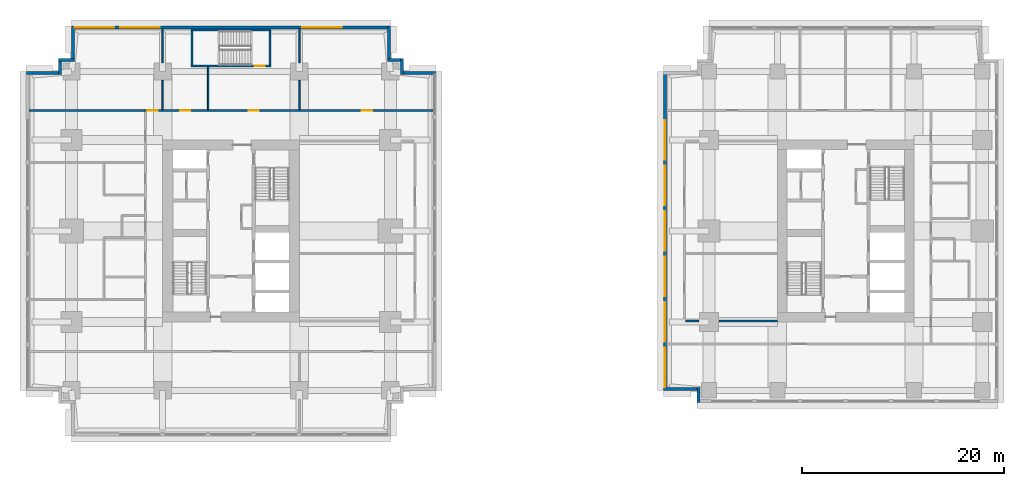
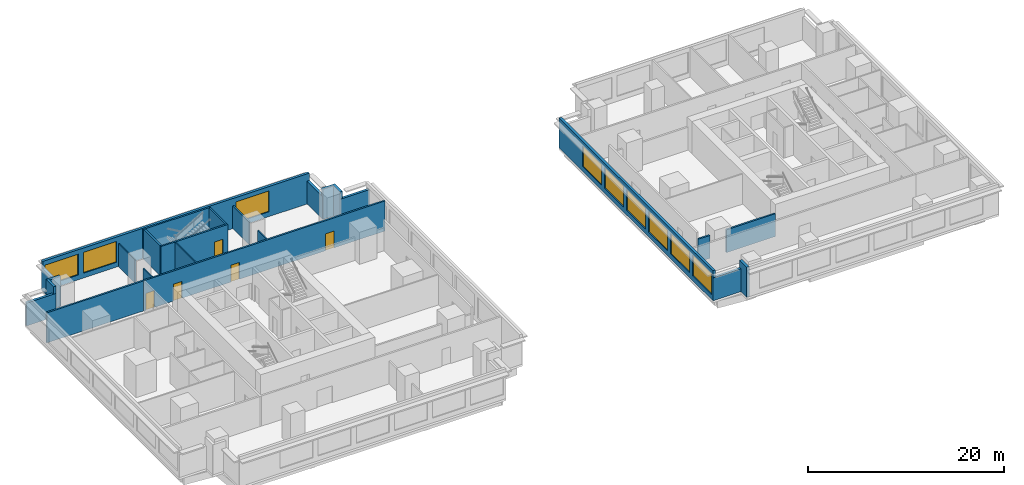
# One storey, part 5 of 10: 25 walls, 9 windows, 5 doors, 14 openings.
"""IFC4 building model written with IfcOpenShell, lengths in metres."""

import ifcopenshell
import ifcopenshell.guid

model = None  # the IFC model being written
_history = None  # IfcOwnerHistory: only IFC2X3 demands one
_inside = {}  # id of a spatial element -> (the spatial element, [elements in it])
_under = {}  # id of a project, library or spatial element -> (it, [spatial elements below it])
_declared = {}  # id of a project -> (the project, [libraries it declares])
_typed = {}  # id of a type object -> (the type object, [elements of that type])
_made_of = {}  # id of a material, layer set ... -> (it, [elements and type objects made of it])


def new_model(schema):
    """Start an empty IFC model of exactly this schema.

    Asked for "IFC4X3", IfcOpenShell would pick the latest addendum, in which some entities
    have other attributes; the version numbers below select the first issue.
    IFC2X3 requires an IfcOwnerHistory on every rooted entity: one is made here for all.
    """
    global model, _history
    if schema == "IFC4X3":
        model = ifcopenshell.file(schema_version=(4, 3, 0, 0))
    else:
        model = ifcopenshell.file(schema=schema)
    _inside.clear()
    _under.clear()
    _declared.clear()
    _typed.clear()
    _made_of.clear()
    _history = None
    if model.schema == "IFC2X3":
        org = make("IfcOrganization", Name="unknown")
        user = make(
            "IfcPersonAndOrganization",
            ThePerson=make("IfcPerson", FamilyName="unknown"),
            TheOrganization=org,
        )
        app = make(
            "IfcApplication",
            ApplicationDeveloper=org,
            Version="unknown",
            ApplicationFullName="unknown",
            ApplicationIdentifier="unknown",
        )
        _history = make(
            "IfcOwnerHistory",
            OwningUser=user,
            OwningApplication=app,
            ChangeAction="ADDED",
            CreationDate=0,
        )
    return model


def make(cls, **values):
    """One entity of the class cls with the attributes given. An attribute that is None is left unset."""
    return model.create_entity(
        cls, **{name: value for name, value in values.items() if value is not None}
    )


def rooted(cls, **values):
    """An entity with a GlobalId (a new one), such as an element, a storey or a relation."""
    return make(cls, GlobalId=ifcopenshell.guid.new(), OwnerHistory=_history, **values)


def si_unit(unit_type, name, prefix=None):
    """IfcSIUnit, for example si_unit("LENGTHUNIT", "METRE", prefix="MILLI")."""
    return make("IfcSIUnit", UnitType=unit_type, Prefix=prefix, Name=name)


def assignment(units):
    """IfcUnitAssignment: the units of a project."""
    return None if units is None else make("IfcUnitAssignment", Units=units)


def point(xyz):
    """IfcCartesianPoint."""
    return None if xyz is None else make("IfcCartesianPoint", Coordinates=xyz)


def direction(xyz):
    """IfcDirection."""
    return None if xyz is None else make("IfcDirection", DirectionRatios=xyz)


def frame(location, z_axis=None, x_axis=None):
    """IfcAxis2Placement3D, a coordinate frame: its origin and axes. An axis left out is left unset."""
    return make(
        "IfcAxis2Placement3D",
        Location=point(location),
        Axis=direction(z_axis),
        RefDirection=direction(x_axis),
    )


def frame_2d(location, x_axis=None):
    """IfcAxis2Placement2D, a coordinate frame in the plane: its origin and x axis."""
    return make(
        "IfcAxis2Placement2D", Location=point(location), RefDirection=direction(x_axis)
    )


def origin():
    """The frame at (0, 0, 0) with its axes left unset."""
    return frame((0.0, 0.0, 0.0))


def place(relative_to, where):
    """IfcLocalPlacement: puts the frame where relative to a parent placement (None: the world)."""
    return make(
        "IfcLocalPlacement", PlacementRelTo=relative_to, RelativePlacement=where
    )


def context(
    kind, dimensions, precision=None, world=None, true_north=None, identifier=None
):
    """IfcGeometricRepresentationContext, for example the 3D "Model" context."""
    return make(
        "IfcGeometricRepresentationContext",
        ContextIdentifier=identifier,
        ContextType=kind,
        CoordinateSpaceDimension=dimensions,
        Precision=precision,
        WorldCoordinateSystem=world,
        TrueNorth=true_north,
    )


def subcontext(parent, identifier, kind, view, scale=None):
    """IfcGeometricRepresentationSubContext, for example "Body" below "Model"."""
    return make(
        "IfcGeometricRepresentationSubContext",
        ContextIdentifier=identifier,
        ContextType=kind,
        ParentContext=parent,
        TargetScale=scale,
        TargetView=view,
    )


def project(units=None, contexts=None):
    """IfcProject with its units and contexts."""
    return rooted(
        "IfcProject",
        Name="project",
        RepresentationContexts=contexts,
        UnitsInContext=assignment(units),
    )


def spatial(cls, under=None, at=None, **own):
    """A site, building, storey or space (cls), placed at a placement, below another one or the project."""
    s = rooted(cls, ObjectPlacement=at, **own)
    if under is not None:
        _under.setdefault(under.id(), (under, []))[1].append(s)
    return s


def profile(cls, at=None, kind="AREA", **sizes):
    """A parametric profile (cls). Its sizes go by their IFC names, for example OverallWidth=200.0."""
    return make(cls, ProfileType=kind, Position=at, **sizes)


def rectangle(**sizes):
    """IfcRectangleProfileDef."""
    return profile("IfcRectangleProfileDef", **sizes)


def extrude(swept, where, along, depth):
    """IfcExtrudedAreaSolid: the profile swept, set in the frame where, extruded along a direction by depth."""
    return make(
        "IfcExtrudedAreaSolid",
        SweptArea=swept,
        Position=where,
        ExtrudedDirection=direction(along),
        Depth=depth,
    )


def shape(context_of_items, identifier, shape_type, items):
    """IfcShapeRepresentation: the items that make up one representation, for example the "Body"."""
    return make(
        "IfcShapeRepresentation",
        ContextOfItems=context_of_items,
        RepresentationIdentifier=identifier,
        RepresentationType=shape_type,
        Items=items,
    )


def material(Name=None, Category=None):
    """IfcMaterial."""
    return make("IfcMaterial", Name=Name, Category=Category)


def layer(
    of_material, thickness, ventilated=None, Name=None, Category=None, Priority=None
):
    """IfcMaterialLayer: one layer of a wall or slab, of a material (None: an air gap)."""
    return make(
        "IfcMaterialLayer",
        Material=of_material,
        LayerThickness=thickness,
        IsVentilated=ventilated,
        Name=Name,
        Category=Category,
        Priority=Priority,
    )


def layer_set(layers, Name=None):
    """IfcMaterialLayerSet."""
    return make("IfcMaterialLayerSet", MaterialLayers=layers, LayerSetName=Name)


def made_of(thing, what):
    """Note that an element or type object is made of a material, layer set ...; save() writes the relation."""
    if what is not None:
        _made_of.setdefault(what.id(), (what, []))[1].append(thing)
    return thing


def type_object(cls, material=None, **own):
    """A type object (cls), such as IfcWallType, which elements share."""
    return made_of(rooted(cls, **own), material)


def element(
    cls,
    number,
    at=None,
    inside=None,
    cuts=None,
    type_object=None,
    material=None,
    context=None,
    identifier="Body",
    shape_type=None,
    held_by="IfcProductDefinitionShape",
    body=None,
    shapes=None,
    **own,
):
    """One element of the class cls, such as IfcWall. Its Tag is "e" and its number.

    at: its placement. inside: the storey or other place that contains it. cuts: it is an
    opening in that element (IfcRelVoidsElement). A single representation is given by context,
    identifier, shape_type and body (its items); several are given by shapes. held_by: the class
    of the entity that holds the representations. save() writes the other relations.
    """
    e = rooted(cls, Tag="e%d" % number, ObjectPlacement=at, **own)
    if body is not None:
        shapes = [shape(context, identifier, shape_type, body)]
    if shapes is not None:
        e.Representation = make(held_by, Representations=shapes)
    if inside is not None:
        _inside.setdefault(inside.id(), (inside, []))[1].append(e)
    if cuts is not None:
        rooted(
            "IfcRelVoidsElement", RelatingBuildingElement=cuts, RelatedOpeningElement=e
        )
    if type_object is not None:
        _typed.setdefault(type_object.id(), (type_object, []))[1].append(e)
    return made_of(e, material)


def fill(opening, filler):
    """IfcRelFillsElement: the door or window that sits in an opening."""
    return rooted(
        "IfcRelFillsElement",
        RelatingOpeningElement=opening,
        RelatedBuildingElement=filler,
    )


def aggregate(whole, parts):
    """IfcRelAggregates: a whole, such as a stair, and the parts it consists of."""
    return rooted("IfcRelAggregates", RelatingObject=whole, RelatedObjects=parts)


def save(model, path):
    """Write the relations noted so far, then the file.

    IfcRelAggregates (storeys below a building ...), IfcRelContainedInSpatialStructure (elements
    in a storey), IfcRelDefinesByType, IfcRelAssociatesMaterial and IfcRelDeclares: one each for
    every whole, place, type object, material and project.
    """
    for whole, parts in _under.values():
        aggregate(whole, parts)
    for where, things in _inside.values():
        rooted(
            "IfcRelContainedInSpatialStructure",
            RelatedElements=things,
            RelatingStructure=where,
        )
    for kind, things in _typed.values():
        rooted("IfcRelDefinesByType", RelatedObjects=things, RelatingType=kind)
    for what, things in _made_of.values():
        rooted("IfcRelAssociatesMaterial", RelatedObjects=things, RelatingMaterial=what)
    for by, libraries in _declared.values():
        rooted("IfcRelDeclares", RelatingContext=by, RelatedDefinitions=libraries)
    model.write(path)


model = new_model("IFC4")

# Units and contexts
model_context = context("Model", 3, precision=1e-05, world=origin(), true_north=direction((0.0, 1.0)))
body_context = subcontext(model_context, "Body", "Model", "MODEL_VIEW")
ifc_project = project(units=[si_unit("LENGTHUNIT", "METRE"), si_unit("AREAUNIT", "SQUARE_METRE"), si_unit("VOLUMEUNIT", "CUBIC_METRE"), si_unit("PLANEANGLEUNIT", "RADIAN"), si_unit("MASSUNIT", "GRAM", prefix="KILO")], contexts=[model_context])

# Site, building, storey
site_placement = place(None, origin())
site = spatial("IfcSite", under=ifc_project, at=site_placement, CompositionType="ELEMENT")
building_placement = place(site_placement, origin())
building = spatial("IfcBuilding", under=site, at=building_placement, Name="Namib Vertical Campus", CompositionType="ELEMENT")
storey_placement = place(building_placement, frame((0.0, 0.0, 161.0)))
storey = spatial("IfcBuildingStorey", under=building, at=storey_placement, Name="L38", CompositionType="ELEMENT", Elevation=161.0)

# Wall, openings, doors
ifc_material_1 = material(Name="Concrete masonry", Category="masonry")
ifc_layer_1 = layer(ifc_material_1, 0.199951171875)
ifc_layer_set_1 = layer_set([ifc_layer_1], Name="Corridor wall 200")
wall_type_1 = type_object("IfcWallType", Name="Corridor wall 200", PredefinedType="SOLIDWALL", material=ifc_layer_set_1)
wall_1_placement = place(storey_placement, frame((40.199951171875, 32.14990234375, 0.0), z_axis=(0.0, 0.0, 1.0), x_axis=(-1.0, 0.0, 0.0)))
wall_1 = element("IfcWall", 1, at=wall_1_placement, inside=storey, type_object=wall_type_1, Name="Corridor wall A L38 CN", PredefinedType="SOLIDWALL", context=body_context, shape_type="SweptSolid", body=[
    extrude(rectangle(XDim=28.5, YDim=0.199951171875, at=frame_2d((14.25, 0.0))), origin(), (0.0, 0.0, 1.0), 3.75),
])
opening_1_placement = place(wall_1_placement, frame((27.199951171875, 0.0, 0.0)))
opening_1 = element("IfcOpeningElement", 2, at=opening_1_placement, cuts=wall_1, Name="Opening CD1", PredefinedType="OPENING", context=body_context, shape_type="SweptSolid", body=[
    extrude(rectangle(XDim=1.0, YDim=2.10009765625, at=frame_2d((0.5, 1.050048828125))), frame((0.0, 0.10986328125, 0.0), z_axis=(0.0, -1.0, 0.0), x_axis=(1.0, 0.0, 0.0)), (0.0, 0.0, 1.0), 0.219970703125),
])
opening_2_placement = place(wall_1_placement, frame((23.949951171875, 0.0, 0.0)))
opening_2 = element("IfcOpeningElement", 3, at=opening_2_placement, cuts=wall_1, Name="Opening CD1", PredefinedType="OPENING", context=body_context, shape_type="SweptSolid", body=[
    extrude(rectangle(XDim=1.0, YDim=2.10009765625, at=frame_2d((0.5, 1.050048828125))), frame((0.0, 0.10986328125, 0.0), z_axis=(0.0, -1.0, 0.0), x_axis=(1.0, 0.0, 0.0)), (0.0, 0.0, 1.0), 0.219970703125),
])
opening_3_placement = place(wall_1_placement, frame((17.199951171875, 0.0, 0.0)))
opening_3 = element("IfcOpeningElement", 4, at=opening_3_placement, cuts=wall_1, Name="Opening CD1", PredefinedType="OPENING", context=body_context, shape_type="SweptSolid", body=[
    extrude(rectangle(XDim=1.0, YDim=2.10009765625, at=frame_2d((0.5, 1.050048828125))), frame((0.0, 0.10986328125, 0.0), z_axis=(0.0, -1.0, 0.0), x_axis=(1.0, 0.0, 0.0)), (0.0, 0.0, 1.0), 0.219970703125),
])
opening_4_placement = place(wall_1_placement, frame((6.0, 0.0, 0.0)))
opening_4 = element("IfcOpeningElement", 5, at=opening_4_placement, cuts=wall_1, Name="Opening CD1", PredefinedType="OPENING", context=body_context, shape_type="SweptSolid", body=[
    extrude(rectangle(XDim=1.0, YDim=2.10009765625, at=frame_2d((0.5, 1.050048828125))), frame((0.0, 0.10986328125, 0.0), z_axis=(0.0, -1.0, 0.0), x_axis=(1.0, 0.0, 0.0)), (0.0, 0.0, 1.0), 0.219970703125),
])
ifc_material_2 = material(Name="Timber fire door leaf", Category="wood")
door_type_1 = type_object("IfcDoorType", Name="Corridor door 1000x2100 20 min", OperationType="SINGLE_SWING_LEFT", PredefinedType="DOOR", material=ifc_material_2)
door_1_placement = place(opening_1_placement, frame((1.0, 0.0, 0.0), z_axis=(0.0, 0.0, 1.0), x_axis=(-1.0, 0.0, 0.0)))
door_1 = element("IfcDoor", 6, at=door_1_placement, inside=storey, type_object=door_type_1, Name="Door CD1 A38-05", OperationType="SINGLE_SWING_RIGHT", OverallHeight=2.10009765625, OverallWidth=1.0, PredefinedType="DOOR", context=body_context, shape_type="SweptSolid", body=[
    extrude(rectangle(XDim=1.0, YDim=2.10009765625, at=frame_2d((0.5, 1.050048828125))), frame((0.0, 0.02490234375, 0.0), z_axis=(0.0, -1.0, 0.0), x_axis=(1.0, 0.0, 0.0)), (0.0, 0.0, 1.0), 0.050048828125),
])
fill(opening_1, door_1)
door_2_placement = place(opening_2_placement, frame((1.0, 0.0, 0.0), z_axis=(0.0, 0.0, 1.0), x_axis=(-1.0, 0.0, 0.0)))
door_2 = element("IfcDoor", 7, at=door_2_placement, inside=storey, type_object=door_type_1, Name="Door CD1 A38-06", OperationType="SINGLE_SWING_RIGHT", OverallHeight=2.10009765625, OverallWidth=1.0, PredefinedType="DOOR", context=body_context, shape_type="SweptSolid", body=[
    extrude(rectangle(XDim=1.0, YDim=2.10009765625, at=frame_2d((0.5, 1.050048828125))), frame((0.0, 0.02490234375, 0.0), z_axis=(0.0, -1.0, 0.0), x_axis=(1.0, 0.0, 0.0)), (0.0, 0.0, 1.0), 0.050048828125),
])
fill(opening_2, door_2)
door_3_placement = place(opening_3_placement, frame((1.0, 0.0, 0.0), z_axis=(0.0, 0.0, 1.0), x_axis=(-1.0, 0.0, 0.0)))
door_3 = element("IfcDoor", 8, at=door_3_placement, inside=storey, type_object=door_type_1, Name="Door CD1 A38-07", OperationType="SINGLE_SWING_RIGHT", OverallHeight=2.10009765625, OverallWidth=1.0, PredefinedType="DOOR", context=body_context, shape_type="SweptSolid", body=[
    extrude(rectangle(XDim=1.0, YDim=2.10009765625, at=frame_2d((0.5, 1.050048828125))), frame((0.0, 0.02490234375, 0.0), z_axis=(0.0, -1.0, 0.0), x_axis=(1.0, 0.0, 0.0)), (0.0, 0.0, 1.0), 0.050048828125),
])
fill(opening_3, door_3)
door_4_placement = place(opening_4_placement, frame((1.0, 0.0, 0.0), z_axis=(0.0, 0.0, 1.0), x_axis=(-1.0, 0.0, 0.0)))
door_4 = element("IfcDoor", 9, at=door_4_placement, inside=storey, type_object=door_type_1, Name="Door CD1 A38-08", OperationType="SINGLE_SWING_LEFT", OverallHeight=2.10009765625, OverallWidth=1.0, PredefinedType="DOOR", context=body_context, shape_type="SweptSolid", body=[
    extrude(rectangle(XDim=1.0, YDim=2.10009765625, at=frame_2d((0.5, 1.050048828125))), frame((0.0, 0.02490234375, 0.0), z_axis=(0.0, -1.0, 0.0), x_axis=(1.0, 0.0, 0.0)), (0.0, 0.0, 1.0), 0.050048828125),
])
fill(opening_4, door_4)

# Walls
wall_2_placement = place(storey_placement, frame((0.300048828125, 32.14990234375, 0.0), z_axis=(0.0, 0.0, 1.0), x_axis=(1.0, 0.0, 0.0)))
element("IfcWall", 10, at=wall_2_placement, inside=storey, type_object=wall_type_1, Name="Partition A L38 BNW", PredefinedType="SOLIDWALL", context=body_context, shape_type="SweptSolid", body=[
    extrude(rectangle(XDim=11.39990234375, YDim=0.199951171875, at=frame_2d((5.699951171875, 0.0))), origin(), (0.0, 0.0, 1.0), 3.75),
])
wall_3_placement = place(storey_placement, frame((65.14990234375, 11.35009765625, 0.0), z_axis=(0.0, 0.0, 1.0), x_axis=(1.0, 0.0, 0.0)))
element("IfcWall", 11, at=wall_3_placement, inside=storey, type_object=wall_type_1, Name="Corridor wall B L38 GS", PredefinedType="SOLIDWALL", context=body_context, shape_type="SweptSolid", body=[
    extrude(rectangle(XDim=1.380126953125, YDim=0.199951171875, at=frame_2d((0.68994140625, 0.0))), origin(), (0.0, 0.0, 1.0), 2.85009765625),
])
wall_4_placement = place(storey_placement, frame((68.469970703125, 11.35009765625, 0.0), z_axis=(0.0, 0.0, 1.0), x_axis=(1.0, 0.0, 0.0)))
element("IfcWall", 12, at=wall_4_placement, inside=storey, type_object=wall_type_1, Name="Corridor wall B L38 GS", PredefinedType="SOLIDWALL", context=body_context, shape_type="SweptSolid", body=[
    extrude(rectangle(XDim=5.780029296875, YDim=0.199951171875, at=frame_2d((2.89013671875, 0.0))), origin(), (0.0, 0.0, 1.0), 2.85009765625),
])
ifc_material_3 = material(Name="Concrete C40/50", Category="concrete")
ifc_layer_2 = layer(ifc_material_3, 0.300048828125)
ifc_layer_set_2 = layer_set([ifc_layer_2], Name="Concrete C40/50")
wall_type_2 = type_object("IfcWallType", Name="External wall 300 board-marked concrete", PredefinedType="STANDARD", material=ifc_layer_set_2)
wall_5_placement = place(storey_placement, frame((40.47998046875, 35.85009765625, 0.0), z_axis=(0.0, 0.0, 1.0), x_axis=(-1.0, 0.0, 0.0)))
element("IfcWall", 13, at=wall_5_placement, inside=storey, type_object=wall_type_2, Name="External wall L38 F07", PredefinedType="STANDARD", context=body_context, shape_type="SweptSolid", body=[
    extrude(rectangle(XDim=3.4599609375, YDim=0.300048828125, at=frame_2d((1.72998046875, 0.0))), origin(), (0.0, 0.0, 1.0), 2.85009765625),
])
for number, where, z_axis, x_axis, name in (
    (14, (37.14990234375, 35.719970703125, 0.0), (0.0, 0.0, 1.0), (0.0, 1.0, 0.0), "External wall L38 F08"),
    (15, (37.280029296875, 37.14990234375, 0.0), (0.0, 0.0, 1.0), (-1.0, 0.0, 0.0), "External wall L38 F09"),
):
    element("IfcWall", number, at=place(storey_placement, frame(where, z_axis=z_axis, x_axis=x_axis)), inside=storey, type_object=wall_type_2, Name=name, PredefinedType="STANDARD", context=body_context, shape_type="SweptSolid", body=[
        extrude(rectangle(XDim=1.56005859375, YDim=0.300048828125, at=frame_2d((0.780029296875, 0.0))), origin(), (0.0, 0.0, 1.0), 3.75),
    ])
wall_6_placement = place(storey_placement, frame((35.85009765625, 37.02001953125, 0.0), z_axis=(0.0, 0.0, 1.0), x_axis=(0.0, 1.0, 0.0)))
element("IfcWall", 16, at=wall_6_placement, inside=storey, type_object=wall_type_2, Name="External wall L38 F10", PredefinedType="STANDARD", context=body_context, shape_type="SweptSolid", body=[
    extrude(rectangle(XDim=3.4599609375, YDim=0.300048828125, at=frame_2d((1.72998046875, 0.0))), origin(), (0.0, 0.0, 1.0), 2.85009765625),
])

# Wall, openings, windows
wall_7_placement = place(storey_placement, frame((35.97998046875, 40.35009765625, 0.0), z_axis=(0.0, 0.0, 1.0), x_axis=(-1.0, 0.0, 0.0)))
wall_7 = element("IfcWall", 17, at=wall_7_placement, inside=storey, type_object=wall_type_2, Name="External wall L38 F11", PredefinedType="STANDARD", context=body_context, shape_type="SweptSolid", body=[
    extrude(rectangle(XDim=31.4599609375, YDim=0.300048828125, at=frame_2d((15.72998046875, 0.0))), origin(), (0.0, 0.0, 1.0), 3.75),
])
opening_5_placement = place(wall_7_placement, frame((27.280029296875, 0.0, 0.60009765625)))
opening_5 = element("IfcOpeningElement", 18, at=opening_5_placement, cuts=wall_7, Name="Opening W2", PredefinedType="OPENING", context=body_context, shape_type="SweptSolid", body=[
    extrude(rectangle(XDim=3.89990234375, YDim=2.60009765625, at=frame_2d((1.949951171875, 1.300048828125))), frame((0.0, 0.159912109375, 0.0), z_axis=(0.0, -1.0, 0.0), x_axis=(1.0, 0.0, 0.0)), (0.0, 0.0, 1.0), 0.320068359375),
])
opening_6_placement = place(wall_7_placement, frame((22.780029296875, 0.0, 0.60009765625)))
opening_6 = element("IfcOpeningElement", 19, at=opening_6_placement, cuts=wall_7, Name="Opening W2", PredefinedType="OPENING", context=body_context, shape_type="SweptSolid", body=[
    extrude(rectangle(XDim=3.89990234375, YDim=2.60009765625, at=frame_2d((1.949951171875, 1.300048828125))), frame((0.0, 0.159912109375, 0.0), z_axis=(0.0, -1.0, 0.0), x_axis=(1.0, 0.0, 0.0)), (0.0, 0.0, 1.0), 0.320068359375),
])
opening_7_placement = place(wall_7_placement, frame((4.780029296875, 0.0, 0.60009765625)))
opening_7 = element("IfcOpeningElement", 20, at=opening_7_placement, cuts=wall_7, Name="Opening W2", PredefinedType="OPENING", context=body_context, shape_type="SweptSolid", body=[
    extrude(rectangle(XDim=3.89990234375, YDim=2.60009765625, at=frame_2d((1.949951171875, 1.300048828125))), frame((0.0, 0.159912109375, 0.0), z_axis=(0.0, -1.0, 0.0), x_axis=(1.0, 0.0, 0.0)), (0.0, 0.0, 1.0), 0.320068359375),
])
ifc_material_4 = material(Name="Dark tinted glass in black aluminium frame", Category="aluminium")
window_type = type_object("IfcWindowType", Name="Ribbon window 3900x2600", PartitioningType="SINGLE_PANEL", PredefinedType="WINDOW", material=ifc_material_4)
window_1_placement = place(opening_5_placement, origin())
window_1 = element("IfcWindow", 21, at=window_1_placement, inside=storey, type_object=window_type, Name="Window W2 L38 F11-1", OverallHeight=2.60009765625, OverallWidth=3.89990234375, PartitioningType="SINGLE_PANEL", PredefinedType="WINDOW", context=body_context, shape_type="SweptSolid", body=[
    extrude(rectangle(XDim=3.89990234375, YDim=2.60009765625, at=frame_2d((1.949951171875, 1.300048828125))), frame((0.0, 0.030029296875, 0.0), z_axis=(0.0, -1.0, 0.0), x_axis=(1.0, 0.0, 0.0)), (0.0, 0.0, 1.0), 0.06005859375),
])
fill(opening_5, window_1)
window_2_placement = place(opening_6_placement, origin())
window_2 = element("IfcWindow", 22, at=window_2_placement, inside=storey, type_object=window_type, Name="Window W2 L38 F11-2", OverallHeight=2.60009765625, OverallWidth=3.89990234375, PartitioningType="SINGLE_PANEL", PredefinedType="WINDOW", context=body_context, shape_type="SweptSolid", body=[
    extrude(rectangle(XDim=3.89990234375, YDim=2.60009765625, at=frame_2d((1.949951171875, 1.300048828125))), frame((0.0, 0.030029296875, 0.0), z_axis=(0.0, -1.0, 0.0), x_axis=(1.0, 0.0, 0.0)), (0.0, 0.0, 1.0), 0.06005859375),
])
fill(opening_6, window_2)
window_3_placement = place(opening_7_placement, origin())
window_3 = element("IfcWindow", 23, at=window_3_placement, inside=storey, type_object=window_type, Name="Window W2 L38 F11-6", OverallHeight=2.60009765625, OverallWidth=3.89990234375, PartitioningType="SINGLE_PANEL", PredefinedType="WINDOW", context=body_context, shape_type="SweptSolid", body=[
    extrude(rectangle(XDim=3.89990234375, YDim=2.60009765625, at=frame_2d((1.949951171875, 1.300048828125))), frame((0.0, 0.030029296875, 0.0), z_axis=(0.0, -1.0, 0.0), x_axis=(1.0, 0.0, 0.0)), (0.0, 0.0, 1.0), 0.06005859375),
])
fill(opening_7, window_3)

# Walls
wall_8_placement = place(storey_placement, frame((4.64990234375, 40.47998046875, 0.0), z_axis=(0.0, 0.0, 1.0), x_axis=(0.0, -1.0, 0.0)))
element("IfcWall", 24, at=wall_8_placement, inside=storey, type_object=wall_type_2, Name="External wall L38 F12", PredefinedType="STANDARD", context=body_context, shape_type="SweptSolid", body=[
    extrude(rectangle(XDim=3.4599609375, YDim=0.300048828125, at=frame_2d((1.72998046875, 0.0))), origin(), (0.0, 0.0, 1.0), 2.85009765625),
])
for number, where, z_axis, x_axis, name in (
    (25, (4.780029296875, 37.14990234375, 0.0), (0.0, 0.0, 1.0), (-1.0, 0.0, 0.0), "External wall L38 F13"),
    (26, (3.35009765625, 37.280029296875, 0.0), (0.0, 0.0, 1.0), (0.0, -1.0, 0.0), "External wall L38 F14"),
):
    element("IfcWall", number, at=place(storey_placement, frame(where, z_axis=z_axis, x_axis=x_axis)), inside=storey, type_object=wall_type_2, Name=name, PredefinedType="STANDARD", context=body_context, shape_type="SweptSolid", body=[
        extrude(rectangle(XDim=1.56005859375, YDim=0.300048828125, at=frame_2d((0.780029296875, 0.0))), origin(), (0.0, 0.0, 1.0), 3.75),
    ])
wall_9_placement = place(storey_placement, frame((3.47998046875, 35.85009765625, 0.0), z_axis=(0.0, 0.0, 1.0), x_axis=(-1.0, 0.0, 0.0)))
element("IfcWall", 27, at=wall_9_placement, inside=storey, type_object=wall_type_2, Name="External wall L38 F15", PredefinedType="STANDARD", context=body_context, shape_type="SweptSolid", body=[
    extrude(rectangle(XDim=3.4599609375, YDim=0.300048828125, at=frame_2d((1.72998046875, 0.0))), origin(), (0.0, 0.0, 1.0), 2.85009765625),
])
wall_10_placement = place(storey_placement, frame((63.02001953125, 4.64990234375, 0.0), z_axis=(0.0, 0.0, 1.0), x_axis=(1.0, 0.0, 0.0)))
element("IfcWall", 28, at=wall_10_placement, inside=storey, type_object=wall_type_2, Name="External wall L38 F01", PredefinedType="STANDARD", context=body_context, shape_type="SweptSolid", body=[
    extrude(rectangle(XDim=3.56005859375, YDim=0.300048828125, at=frame_2d((1.780029296875, 0.0))), origin(), (0.0, 0.0, 1.0), 2.85009765625),
])
wall_11_placement = place(storey_placement, frame((66.449951171875, 4.780029296875, 0.0), z_axis=(0.0, 0.0, 1.0), x_axis=(0.0, -1.0, 0.0)))
element("IfcWall", 29, at=wall_11_placement, inside=storey, type_object=wall_type_2, Name="External wall L38 F02", PredefinedType="STANDARD", context=body_context, shape_type="SweptSolid", body=[
    extrude(rectangle(XDim=1.4599609375, YDim=0.300048828125, at=frame_2d((0.72998046875, 0.0))), origin(), (0.0, 0.0, 1.0), 3.75),
])

# Wall, openings, windows
wall_12_placement = place(storey_placement, frame((63.14990234375, 35.97998046875, 0.0), z_axis=(0.0, 0.0, 1.0), x_axis=(0.0, -1.0, 0.0)))
wall_12 = element("IfcWall", 30, at=wall_12_placement, inside=storey, type_object=wall_type_2, Name="External wall L38 F12", PredefinedType="STANDARD", context=body_context, shape_type="SweptSolid", body=[
    extrude(rectangle(XDim=31.4599609375, YDim=0.300048828125, at=frame_2d((15.72998046875, 0.0))), origin(), (0.0, 0.0, 1.0), 3.75),
])
opening_8_placement = place(wall_12_placement, frame((27.280029296875, 0.0, 0.60009765625)))
opening_8 = element("IfcOpeningElement", 31, at=opening_8_placement, cuts=wall_12, Name="Opening W2", PredefinedType="OPENING", context=body_context, shape_type="SweptSolid", body=[
    extrude(rectangle(XDim=3.89990234375, YDim=2.60009765625, at=frame_2d((1.949951171875, 1.300048828125))), frame((0.0, 0.159912109375, 0.0), z_axis=(0.0, -1.0, 0.0), x_axis=(1.0, 0.0, 0.0)), (0.0, 0.0, 1.0), 0.320068359375),
])
opening_9_placement = place(wall_12_placement, frame((22.780029296875, 0.0, 0.60009765625)))
opening_9 = element("IfcOpeningElement", 32, at=opening_9_placement, cuts=wall_12, Name="Opening W2", PredefinedType="OPENING", context=body_context, shape_type="SweptSolid", body=[
    extrude(rectangle(XDim=3.89990234375, YDim=2.60009765625, at=frame_2d((1.949951171875, 1.300048828125))), frame((0.0, 0.159912109375, 0.0), z_axis=(0.0, -1.0, 0.0), x_axis=(1.0, 0.0, 0.0)), (0.0, 0.0, 1.0), 0.320068359375),
])
opening_10_placement = place(wall_12_placement, frame((18.280029296875, 0.0, 0.60009765625)))
opening_10 = element("IfcOpeningElement", 33, at=opening_10_placement, cuts=wall_12, Name="Opening W2", PredefinedType="OPENING", context=body_context, shape_type="SweptSolid", body=[
    extrude(rectangle(XDim=3.89990234375, YDim=2.60009765625, at=frame_2d((1.949951171875, 1.300048828125))), frame((0.0, 0.159912109375, 0.0), z_axis=(0.0, -1.0, 0.0), x_axis=(1.0, 0.0, 0.0)), (0.0, 0.0, 1.0), 0.320068359375),
])
opening_11_placement = place(wall_12_placement, frame((13.780029296875, 0.0, 0.60009765625)))
opening_11 = element("IfcOpeningElement", 34, at=opening_11_placement, cuts=wall_12, Name="Opening W2", PredefinedType="OPENING", context=body_context, shape_type="SweptSolid", body=[
    extrude(rectangle(XDim=3.89990234375, YDim=2.60009765625, at=frame_2d((1.949951171875, 1.300048828125))), frame((0.0, 0.159912109375, 0.0), z_axis=(0.0, -1.0, 0.0), x_axis=(1.0, 0.0, 0.0)), (0.0, 0.0, 1.0), 0.320068359375),
])
opening_12_placement = place(wall_12_placement, frame((9.280029296875, 0.0, 0.60009765625)))
opening_12 = element("IfcOpeningElement", 35, at=opening_12_placement, cuts=wall_12, Name="Opening W2", PredefinedType="OPENING", context=body_context, shape_type="SweptSolid", body=[
    extrude(rectangle(XDim=3.89990234375, YDim=2.60009765625, at=frame_2d((1.949951171875, 1.300048828125))), frame((0.0, 0.159912109375, 0.0), z_axis=(0.0, -1.0, 0.0), x_axis=(1.0, 0.0, 0.0)), (0.0, 0.0, 1.0), 0.320068359375),
])
opening_13_placement = place(wall_12_placement, frame((4.780029296875, 0.0, 0.60009765625)))
opening_13 = element("IfcOpeningElement", 36, at=opening_13_placement, cuts=wall_12, Name="Opening W2", PredefinedType="OPENING", context=body_context, shape_type="SweptSolid", body=[
    extrude(rectangle(XDim=3.89990234375, YDim=2.60009765625, at=frame_2d((1.949951171875, 1.300048828125))), frame((0.0, 0.159912109375, 0.0), z_axis=(0.0, -1.0, 0.0), x_axis=(1.0, 0.0, 0.0)), (0.0, 0.0, 1.0), 0.320068359375),
])
window_4_placement = place(opening_8_placement, origin())
window_4 = element("IfcWindow", 37, at=window_4_placement, inside=storey, type_object=window_type, Name="Window W2 L38 F12-1", OverallHeight=2.60009765625, OverallWidth=3.89990234375, PartitioningType="SINGLE_PANEL", PredefinedType="WINDOW", context=body_context, shape_type="SweptSolid", body=[
    extrude(rectangle(XDim=3.89990234375, YDim=2.60009765625, at=frame_2d((1.949951171875, 1.300048828125))), frame((0.0, 0.030029296875, 0.0), z_axis=(0.0, -1.0, 0.0), x_axis=(1.0, 0.0, 0.0)), (0.0, 0.0, 1.0), 0.06005859375),
])
fill(opening_8, window_4)
window_5_placement = place(opening_9_placement, origin())
window_5 = element("IfcWindow", 38, at=window_5_placement, inside=storey, type_object=window_type, Name="Window W2 L38 F12-2", OverallHeight=2.60009765625, OverallWidth=3.89990234375, PartitioningType="SINGLE_PANEL", PredefinedType="WINDOW", context=body_context, shape_type="SweptSolid", body=[
    extrude(rectangle(XDim=3.89990234375, YDim=2.60009765625, at=frame_2d((1.949951171875, 1.300048828125))), frame((0.0, 0.030029296875, 0.0), z_axis=(0.0, -1.0, 0.0), x_axis=(1.0, 0.0, 0.0)), (0.0, 0.0, 1.0), 0.06005859375),
])
fill(opening_9, window_5)
window_6_placement = place(opening_10_placement, origin())
window_6 = element("IfcWindow", 39, at=window_6_placement, inside=storey, type_object=window_type, Name="Window W2 L38 F12-3", OverallHeight=2.60009765625, OverallWidth=3.89990234375, PartitioningType="SINGLE_PANEL", PredefinedType="WINDOW", context=body_context, shape_type="SweptSolid", body=[
    extrude(rectangle(XDim=3.89990234375, YDim=2.60009765625, at=frame_2d((1.949951171875, 1.300048828125))), frame((0.0, 0.030029296875, 0.0), z_axis=(0.0, -1.0, 0.0), x_axis=(1.0, 0.0, 0.0)), (0.0, 0.0, 1.0), 0.06005859375),
])
fill(opening_10, window_6)
window_7_placement = place(opening_11_placement, origin())
window_7 = element("IfcWindow", 40, at=window_7_placement, inside=storey, type_object=window_type, Name="Window W2 L38 F12-4", OverallHeight=2.60009765625, OverallWidth=3.89990234375, PartitioningType="SINGLE_PANEL", PredefinedType="WINDOW", context=body_context, shape_type="SweptSolid", body=[
    extrude(rectangle(XDim=3.89990234375, YDim=2.60009765625, at=frame_2d((1.949951171875, 1.300048828125))), frame((0.0, 0.030029296875, 0.0), z_axis=(0.0, -1.0, 0.0), x_axis=(1.0, 0.0, 0.0)), (0.0, 0.0, 1.0), 0.06005859375),
])
fill(opening_11, window_7)
window_8_placement = place(opening_12_placement, origin())
window_8 = element("IfcWindow", 41, at=window_8_placement, inside=storey, type_object=window_type, Name="Window W2 L38 F12-5", OverallHeight=2.60009765625, OverallWidth=3.89990234375, PartitioningType="SINGLE_PANEL", PredefinedType="WINDOW", context=body_context, shape_type="SweptSolid", body=[
    extrude(rectangle(XDim=3.89990234375, YDim=2.60009765625, at=frame_2d((1.949951171875, 1.300048828125))), frame((0.0, 0.030029296875, 0.0), z_axis=(0.0, -1.0, 0.0), x_axis=(1.0, 0.0, 0.0)), (0.0, 0.0, 1.0), 0.06005859375),
])
fill(opening_12, window_8)
window_9_placement = place(opening_13_placement, origin())
window_9 = element("IfcWindow", 42, at=window_9_placement, inside=storey, type_object=window_type, Name="Window W2 L38 F12-6", OverallHeight=2.60009765625, OverallWidth=3.89990234375, PartitioningType="SINGLE_PANEL", PredefinedType="WINDOW", context=body_context, shape_type="SweptSolid", body=[
    extrude(rectangle(XDim=3.89990234375, YDim=2.60009765625, at=frame_2d((1.949951171875, 1.300048828125))), frame((0.0, 0.030029296875, 0.0), z_axis=(0.0, -1.0, 0.0), x_axis=(1.0, 0.0, 0.0)), (0.0, 0.0, 1.0), 0.06005859375),
])
fill(opening_13, window_9)

# Walls
ifc_material_5 = material(Name="Gypsum board on steel studs", Category="steel")
ifc_layer_3 = layer(ifc_material_5, 0.14990234375)
ifc_layer_set_3 = layer_set([ifc_layer_3], Name="Gypsum board on steel studs")
wall_type_3 = type_object("IfcWallType", Name="Partition 150", PredefinedType="PARTITIONING", material=ifc_layer_set_3)
wall_13_placement = place(storey_placement, frame((13.5, 32.25, 0.0), z_axis=(0.0, 0.0, 1.0), x_axis=(0.0, 1.0, 0.0)))
element("IfcWall", 43, at=wall_13_placement, inside=storey, type_object=wall_type_3, Name="Partition A L38 PN1", PredefinedType="PARTITIONING", context=body_context, shape_type="SweptSolid", body=[
    extrude(rectangle(XDim=2.8798828125, YDim=0.14990234375, at=frame_2d((1.43994140625, 0.0))), origin(), (0.0, 0.0, 1.0), 2.85009765625),
])
wall_14_placement = place(storey_placement, frame((13.5, 36.8701171875, 0.0), z_axis=(0.0, 0.0, 1.0), x_axis=(0.0, 1.0, 0.0)))
element("IfcWall", 44, at=wall_14_placement, inside=storey, type_object=wall_type_3, Name="Partition A L38 PN1", PredefinedType="PARTITIONING", context=body_context, shape_type="SweptSolid", body=[
    extrude(rectangle(XDim=3.329833984375, YDim=0.14990234375, at=frame_2d((1.6650390625, 0.0))), origin(), (0.0, 0.0, 1.0), 2.85009765625),
])
wall_15_placement = place(storey_placement, frame((18.0, 32.25, 0.0), z_axis=(0.0, 0.0, 1.0), x_axis=(0.0, 1.0, 0.0)))
element("IfcWall", 45, at=wall_15_placement, inside=storey, type_object=wall_type_3, Name="Partition A L38 PN2", PredefinedType="PARTITIONING", context=body_context, shape_type="SweptSolid", body=[
    extrude(rectangle(XDim=4.199951171875, YDim=0.14990234375, at=frame_2d((2.10009765625, 0.0))), origin(), (0.0, 0.0, 1.0), 3.75),
])
wall_16_placement = place(storey_placement, frame((27.0, 32.25, 0.0), z_axis=(0.0, 0.0, 1.0), x_axis=(0.0, 1.0, 0.0)))
element("IfcWall", 46, at=wall_16_placement, inside=storey, type_object=wall_type_3, Name="Partition A L38 PN3", PredefinedType="PARTITIONING", context=body_context, shape_type="SweptSolid", body=[
    extrude(rectangle(XDim=2.8798828125, YDim=0.14990234375, at=frame_2d((1.43994140625, 0.0))), origin(), (0.0, 0.0, 1.0), 2.85009765625),
])
wall_17_placement = place(storey_placement, frame((27.0, 36.8701171875, 0.0), z_axis=(0.0, 0.0, 1.0), x_axis=(0.0, 1.0, 0.0)))
element("IfcWall", 47, at=wall_17_placement, inside=storey, type_object=wall_type_3, Name="Partition A L38 PN3", PredefinedType="PARTITIONING", context=body_context, shape_type="SweptSolid", body=[
    extrude(rectangle(XDim=3.329833984375, YDim=0.14990234375, at=frame_2d((1.6650390625, 0.0))), origin(), (0.0, 0.0, 1.0), 2.85009765625),
])

# Wall, opening, door
ifc_material_6 = material(Name="Concrete C40/50", Category="concrete")
ifc_layer_4 = layer(ifc_material_6, 0.199951171875)
ifc_layer_set_4 = layer_set([ifc_layer_4], Name="Concrete C40/50")
wall_type_4 = type_object("IfcWallType", Name="Stair enclosure wall RC 200", PredefinedType="SOLIDWALL", material=ifc_layer_set_4)
wall_18_placement = place(storey_placement, frame((16.300048828125, 36.550048828125, 0.0), z_axis=(0.0, 0.0, 1.0), x_axis=(1.0, 0.0, 0.0)))
wall_18 = element("IfcWall", 48, at=wall_18_placement, inside=storey, type_object=wall_type_4, Name="Stair enclosure wall A-S3 L38 S", PredefinedType="SOLIDWALL", context=body_context, shape_type="SweptSolid", body=[
    extrude(rectangle(XDim=7.89990234375, YDim=0.199951171875, at=frame_2d((3.949951171875, 0.0))), origin(), (0.0, 0.0, 1.0), 3.75),
])
opening_14_placement = place(wall_18_placement, frame((6.300048828125, 0.0, 0.0)))
opening_14 = element("IfcOpeningElement", 49, at=opening_14_placement, cuts=wall_18, Name="Opening FD1", PredefinedType="OPENING", context=body_context, shape_type="SweptSolid", body=[
    extrude(rectangle(XDim=1.0, YDim=2.10009765625, at=frame_2d((0.5, 1.050048828125))), frame((0.0, 0.10986328125, 0.0), z_axis=(0.0, -1.0, 0.0), x_axis=(1.0, 0.0, 0.0)), (0.0, 0.0, 1.0), 0.219970703125),
])
ifc_material_7 = material(Name="Steel fire door", Category="steel")
door_type_2 = type_object("IfcDoorType", Name="Fire door 1000x2100", OperationType="SINGLE_SWING_RIGHT", PredefinedType="DOOR", material=ifc_material_7)
door_5_placement = place(opening_14_placement, origin())
door_5 = element("IfcDoor", 50, at=door_5_placement, inside=storey, type_object=door_type_2, Name="Stair door FD1 A L38 S3", OperationType="SINGLE_SWING_RIGHT", OverallHeight=2.10009765625, OverallWidth=1.0, PredefinedType="DOOR", context=body_context, shape_type="SweptSolid", body=[
    extrude(rectangle(XDim=1.0, YDim=2.10009765625, at=frame_2d((0.5, 1.050048828125))), frame((0.0, 0.02490234375, 0.0), z_axis=(0.0, -1.0, 0.0), x_axis=(1.0, 0.0, 0.0)), (0.0, 0.0, 1.0), 0.050048828125),
])
fill(opening_14, door_5)

# Walls
wall_19_placement = place(storey_placement, frame((16.300048828125, 40.10009765625, 0.0), z_axis=(0.0, 0.0, 1.0), x_axis=(1.0, 0.0, 0.0)))
element("IfcWall", 51, at=wall_19_placement, inside=storey, type_object=wall_type_4, Name="Stair enclosure wall A-S3 L38 N", PredefinedType="SOLIDWALL", context=body_context, shape_type="SweptSolid", body=[
    extrude(rectangle(XDim=7.89990234375, YDim=0.199951171875, at=frame_2d((3.949951171875, 0.0))), origin(), (0.0, 0.0, 1.0), 3.75),
])
for number, where, z_axis, x_axis, name in (
    (52, (16.39990234375, 36.64990234375, 0.0), (0.0, 0.0, 1.0), (0.0, 1.0, 0.0), "Stair enclosure wall A-S3 L38 W"),
    (53, (24.10009765625, 36.64990234375, 0.0), (0.0, 0.0, 1.0), (0.0, 1.0, 0.0), "Stair enclosure wall A-S3 L38 E"),
):
    element("IfcWall", number, at=place(storey_placement, frame(where, z_axis=z_axis, x_axis=x_axis)), inside=storey, type_object=wall_type_4, Name=name, PredefinedType="SOLIDWALL", context=body_context, shape_type="SweptSolid", body=[
        extrude(rectangle(XDim=3.35009765625, YDim=0.199951171875, at=frame_2d((1.675048828125, 0.0))), origin(), (0.0, 0.0, 1.0), 3.75),
    ])

save(model, "model.ifc")
